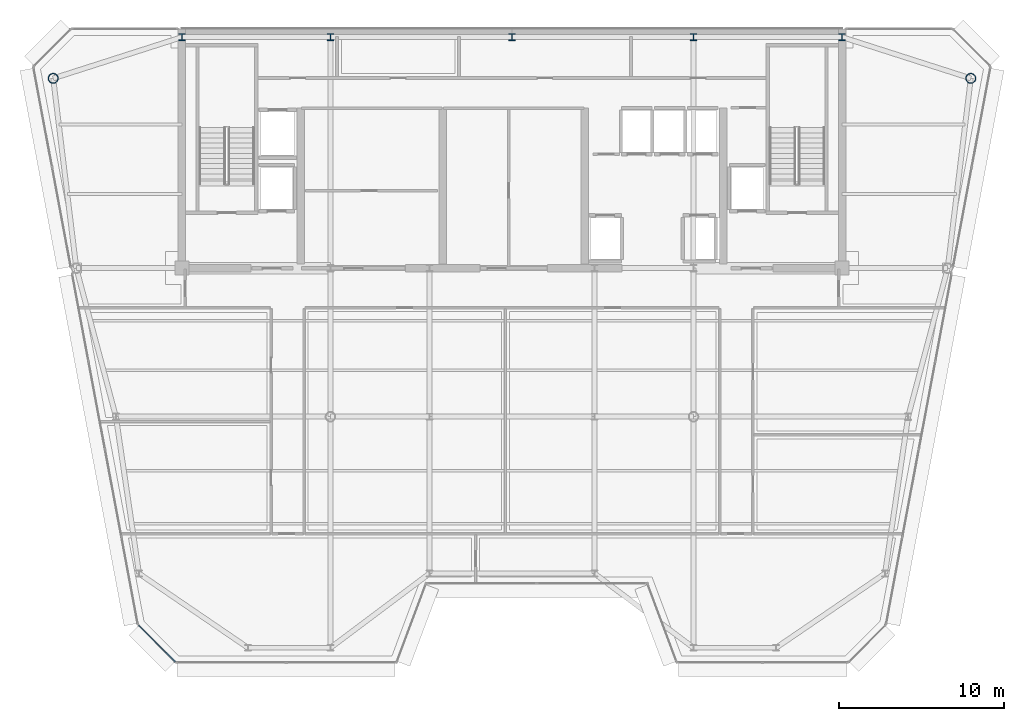
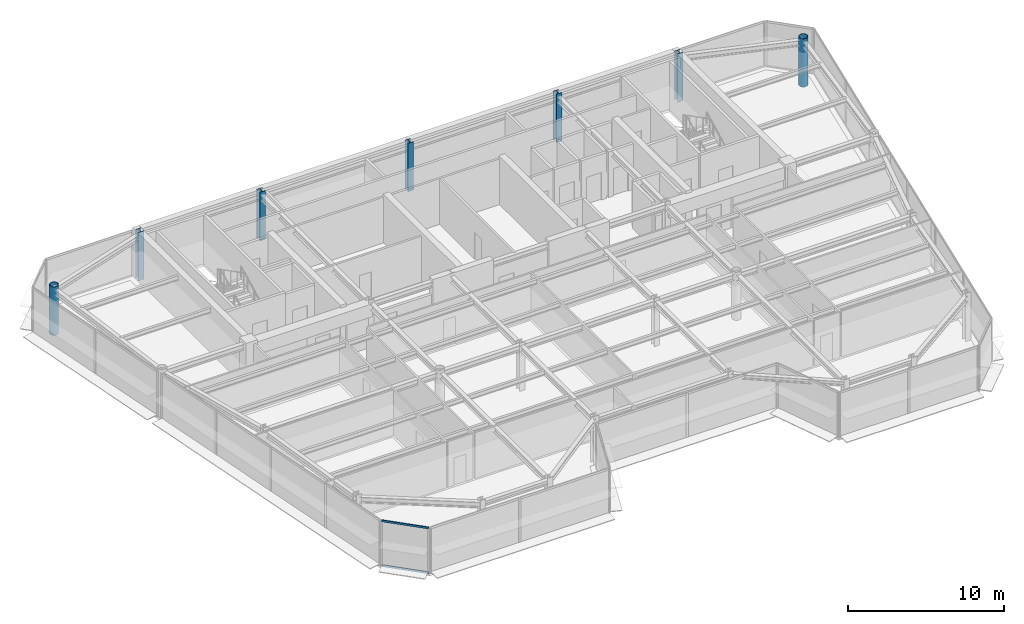
# One storey, part 2 of 20: 7 columns, 2 members, 1 element without a shape of its own.
"""IFC4 building model written with IfcOpenShell, lengths in metres."""

from ifc_helpers import new_model, si_unit, direction, frame, origin, origin_2d, place, context, subcontext, project, spatial, rectangle, hollow_circle, i_section, extrude, source, transform, mapped, material, layer, layer_set, material_profile, profile_set, type_object, element, aggregate, save


model = new_model("IFC4")

# Units and contexts
model_context = context("Model", 3, precision=1e-05, world=origin(), true_north=direction((0.0, 1.0)))
body_context = subcontext(model_context, "Body", "Model", "MODEL_VIEW")
ifc_project = project(units=[si_unit("LENGTHUNIT", "METRE"), si_unit("AREAUNIT", "SQUARE_METRE"), si_unit("VOLUMEUNIT", "CUBIC_METRE"), si_unit("PLANEANGLEUNIT", "RADIAN"), si_unit("MASSUNIT", "GRAM", prefix="KILO")], contexts=[model_context])

# Site, building, storey
site_placement = place(None, origin())
site = spatial("IfcSite", under=ifc_project, at=site_placement, CompositionType="ELEMENT")
building_placement = place(site_placement, origin())
building = spatial("IfcBuilding", under=site, at=building_placement, Name="Vaeldorn Concourse Tower", CompositionType="ELEMENT")
storey_placement = place(building_placement, frame((0.0, 0.0, 284.0)))
storey = spatial("IfcBuildingStorey", under=building, at=storey_placement, Name="L73", CompositionType="ELEMENT", Elevation=284.0)

# Columns
ifc_material_1 = material(Name="Steel S355", Category="steel")
ifc_material_profile_1 = material_profile(ifc_material_1, i_section(OverallWidth=0.406005859375, OverallDepth=0.416015625, WebThickness=0.02978515625, FlangeThickness=0.0419921875, FilletRadius=0.014892578125, at=origin_2d()), Name="HD 400x382")
ifc_profile_set_1 = profile_set([ifc_material_profile_1], Name="Steel S355")
column_type_1 = type_object("IfcColumnType", Name="COL-HD382", PredefinedType="COLUMN", material=ifc_profile_set_1)
shared_shape_1 = source(origin(), body_context, "Body", "SweptSolid", [
    extrude(i_section(OverallWidth=0.406005859375, OverallDepth=0.416015625, WebThickness=0.02978515625, FlangeThickness=0.0419921875, FilletRadius=0.014892578125, at=origin_2d()), origin(), (0.0, 0.0, 1.0), 3.800048828125),
])
for number, where, z_axis, x_axis, name in (
    (1, (14.0, 50.5, 0.0), (0.0, 0.0, 1.0), (1.0, 0.0, 0.0), "Column C-HC1 L73"),
    (2, (23.0, 50.5, 0.0), (0.0, 0.0, 1.0), (1.0, 0.0, 0.0), "Column C-HC2 L73"),
    (3, (34.0, 50.5, 0.0), (0.0, 0.0, 1.0), (1.0, 0.0, 0.0), "Column C-HC3 L73"),
    (4, (45.0, 50.5, 0.0), (0.0, 0.0, 1.0), (1.0, 0.0, 0.0), "Column C-HC4 L73"),
    (5, (54.0, 50.5, 0.0), (0.0, 0.0, 1.0), (1.0, 0.0, 0.0), "Column C-HC5 L73"),
):
    element("IfcColumn", number, at=place(storey_placement, frame(where, z_axis=z_axis, x_axis=x_axis)), inside=storey, type_object=column_type_1, Name=name, PredefinedType="COLUMN", context=body_context, shape_type="MappedRepresentation", body=[
        mapped(shared_shape_1, transform((0.0, 0.0, 0.0), scale=1.0)),
    ])
ifc_material_profile_2 = material_profile(ifc_material_1, hollow_circle(Radius=0.304931640625, WallThickness=0.030029296875, at=origin_2d()), Name="CHS 610x30")
ifc_profile_set_2 = profile_set([ifc_material_profile_2], Name="Steel S355")
column_type_2 = type_object("IfcColumnType", Name="COL-CHS610", PredefinedType="COLUMN", material=ifc_profile_set_2)
shared_shape_2 = source(origin(), body_context, "Body", "SweptSolid", [
    extrude(hollow_circle(Radius=0.304931640625, WallThickness=0.030029296875, at=origin_2d()), origin(), (0.0, 0.0, 1.0), 3.800048828125),
])
for number, where, z_axis, x_axis, name in (
    (6, (6.199951171875, 48.0, 0.0), (0.0, 0.0, 1.0), (1.0, 0.0, 0.0), "Column C-NW1 L73"),
    (7, (61.800048828125, 48.0, 0.0), (0.0, 0.0, 1.0), (1.0, 0.0, 0.0), "Column C-NE1 L73"),
):
    element("IfcColumn", number, at=place(storey_placement, frame(where, z_axis=z_axis, x_axis=x_axis)), inside=storey, type_object=column_type_2, Name=name, PredefinedType="COLUMN", context=body_context, shape_type="MappedRepresentation", body=[
        mapped(shared_shape_2, transform((0.0, 0.0, 0.0), scale=1.0)),
    ])

# Curtain wall, members
ifc_material_2 = material(Name="Anodised Bronze Aluminium", Category="aluminium")
ifc_layer = layer(ifc_material_2, 0.179931640625)
ifc_layer_set = layer_set([ifc_layer], Name="Anodised Bronze Aluminium")
curtain_wall_type = type_object("IfcCurtainWallType", Name="CW-SYS-05", PredefinedType="NOTDEFINED", material=ifc_layer_set)
curtain_wall_placement = place(storey_placement, origin())
curtain_wall = element("IfcCurtainWall", 8, at=curtain_wall_placement, inside=storey, type_object=curtain_wall_type, Name="Unitised Curtain Wall CW-L73-E12-1", PredefinedType="NOTDEFINED")
ifc_material_profile_3 = material_profile(ifc_material_2, rectangle(XDim=0.06494140625, YDim=0.14990234375, at=origin_2d()), Name="CWT 65x150")
ifc_profile_set_3 = profile_set([ifc_material_profile_3], Name="Anodised Bronze Aluminium")
member_type = type_object("IfcMemberType", Name="CWT-BRONZE-150", PredefinedType="USERDEFINED", material=ifc_profile_set_3)
shared_shape_3 = source(origin(), body_context, "Body", "SweptSolid", [
    extrude(rectangle(XDim=0.06494140625, YDim=0.14990234375, at=origin_2d()), origin(), (0.0, 0.0, 1.0), 3.12255859375),
])
member_1_placement = place(storey_placement, frame((11.382080078125, 14.85400390625, 0.032470703125), z_axis=(0.707106781187, -0.707106781187, 0.0), x_axis=(0.707106781187, 0.707106781187, 0.0)))
member_1 = element("IfcMember", 9, at=member_1_placement, type_object=member_type, Name="CW-05 transom 1.1", ObjectType="TRANSOM", PredefinedType="USERDEFINED", context=body_context, shape_type="MappedRepresentation", body=[
    mapped(shared_shape_3, transform((0.0, 0.0, 0.0), scale=1.0)),
])
member_2_placement = place(storey_placement, frame((11.382080078125, 14.85400390625, 3.547607421875), z_axis=(0.707106781187, -0.707106781187, 0.0), x_axis=(0.707106781187, 0.707106781187, 0.0)))
member_2 = element("IfcMember", 10, at=member_2_placement, type_object=member_type, Name="CW-05 transom 1.2", ObjectType="TRANSOM", PredefinedType="USERDEFINED", context=body_context, shape_type="MappedRepresentation", body=[
    mapped(shared_shape_3, transform((0.0, 0.0, 0.0), scale=1.0)),
])
aggregate(curtain_wall, [member_1, member_2])

save(model, "model.ifc")
